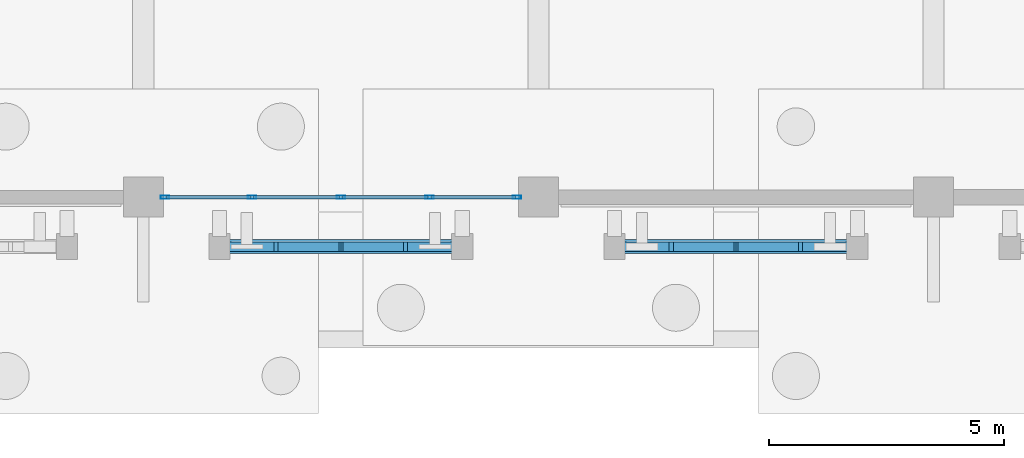
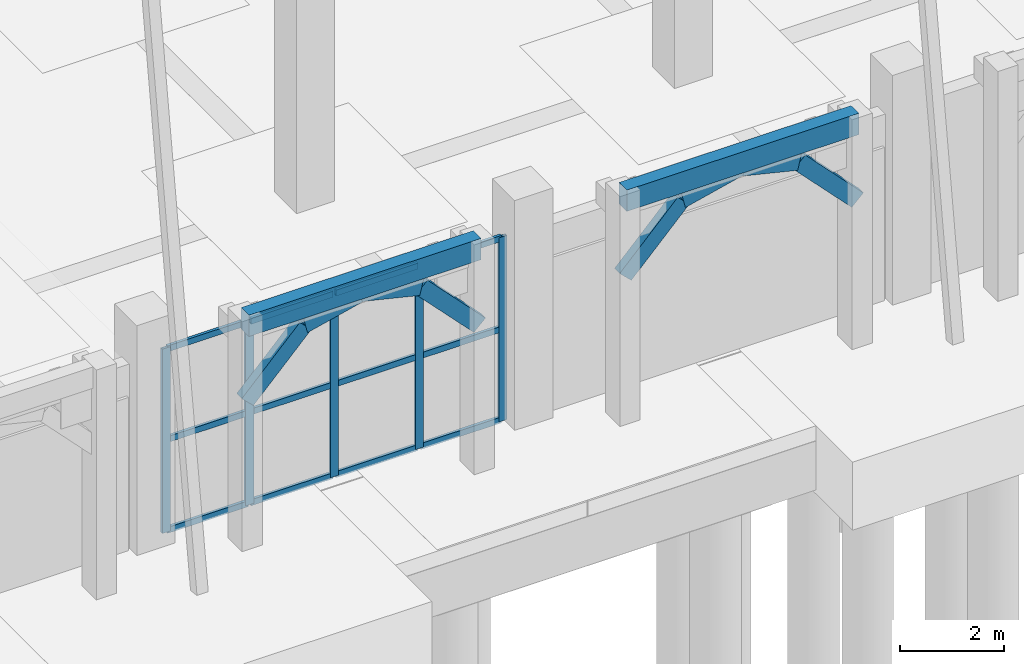
# One storey, part 17 of 98: 25 members, 2 beams, 1 element without a shape of its own.
"""IFC4 building model written with IfcOpenShell, lengths in metres."""

from ifc_helpers import new_model, si_unit, direction, frame, origin, origin_2d, place, context, subcontext, project, spatial, rectangle, hollow_rectangle, extrude, material, layer, layer_set, material_profile, profile_set, type_object, element, aggregate, save


model = new_model("IFC4")

# Units and contexts
model_context = context("Model", 3, precision=1e-05, world=origin(), true_north=direction((0.0, 1.0)))
body_context = subcontext(model_context, "Body", "Model", "MODEL_VIEW")
ifc_project = project(units=[si_unit("LENGTHUNIT", "METRE"), si_unit("AREAUNIT", "SQUARE_METRE"), si_unit("VOLUMEUNIT", "CUBIC_METRE"), si_unit("PLANEANGLEUNIT", "RADIAN"), si_unit("MASSUNIT", "GRAM", prefix="KILO")], contexts=[model_context])

# Site, building, storey
site_placement = place(None, origin())
site = spatial("IfcSite", under=ifc_project, at=site_placement, CompositionType="ELEMENT")
building_placement = place(site_placement, origin())
building = spatial("IfcBuilding", under=site, at=building_placement, Name="Xazarin Passage Department Store", CompositionType="ELEMENT")
storey_placement = place(building_placement, origin())
storey = spatial("IfcBuildingStorey", under=building, at=storey_placement, Name="L00", CompositionType="ELEMENT", Elevation=0.0)

# Curtain wall, members
ifc_material_1 = material(Name="Bronze anodised aluminium", Category="aluminium")
ifc_layer = layer(ifc_material_1, 0.18994140625)
ifc_layer_set = layer_set([ifc_layer], Name="Bronze anodised aluminium")
curtain_wall_type = type_object("IfcCurtainWallType", Name="ARC-CW-FDH1", PredefinedType="NOTDEFINED", material=ifc_layer_set)
curtain_wall_placement = place(storey_placement, origin())
curtain_wall = element("IfcCurtainWall", 1, at=curtain_wall_placement, inside=storey, type_object=curtain_wall_type, Name="L00 V3 Curtain Wall 119", PredefinedType="NOTDEFINED")
ifc_material_profile_1 = material_profile(ifc_material_1, hollow_rectangle(XDim=0.06494140625, YDim=0.179931640625, WallThickness=0.00390625, at=origin_2d()), Name="ALU 65x180")
ifc_profile_set_1 = profile_set([ifc_material_profile_1], Name="Bronze anodised aluminium")
member_type_1 = type_object("IfcMemberType", Name="ARC-CWM-65x180", PredefinedType="MULLION", material=ifc_profile_set_1)
member_1_placement = place(storey_placement, frame((42.45751953125, 0.0, 0.0), z_axis=(0.0, 0.0, 1.0), x_axis=(0.0, 1.0, 0.0)))
member_1 = element("IfcMember", 2, at=member_1_placement, type_object=member_type_1, Name="CW5 mullion 1", PredefinedType="MULLION", context=body_context, shape_type="SweptSolid", body=[
    extrude(hollow_rectangle(XDim=0.06494140625, YDim=0.179931640625, WallThickness=0.00390625, at=origin_2d()), origin(), (0.0, 0.0, 1.0), 4.330078125),
])
member_2_placement = place(storey_placement, frame((44.3125, 0.0, 0.0), z_axis=(0.0, 0.0, 1.0), x_axis=(0.0, 1.0, 0.0)))
member_2 = element("IfcMember", 3, at=member_2_placement, type_object=member_type_1, Name="CW5 mullion 2", PredefinedType="MULLION", context=body_context, shape_type="SweptSolid", body=[
    extrude(hollow_rectangle(XDim=0.06494140625, YDim=0.179931640625, WallThickness=0.00390625, at=origin_2d()), origin(), (0.0, 0.0, 1.0), 4.330078125),
])
member_3_placement = place(storey_placement, frame((46.199951171875, 0.0, 0.0), z_axis=(0.0, 0.0, 1.0), x_axis=(0.0, 1.0, 0.0)))
member_3 = element("IfcMember", 4, at=member_3_placement, type_object=member_type_1, Name="CW5 mullion 3", PredefinedType="MULLION", context=body_context, shape_type="SweptSolid", body=[
    extrude(hollow_rectangle(XDim=0.06494140625, YDim=0.179931640625, WallThickness=0.00390625, at=origin_2d()), origin(), (0.0, 0.0, 1.0), 4.330078125),
])
member_4_placement = place(storey_placement, frame((48.08740234375, 0.0, 0.0), z_axis=(0.0, 0.0, 1.0), x_axis=(0.0, 1.0, 0.0)))
member_4 = element("IfcMember", 5, at=member_4_placement, type_object=member_type_1, Name="CW5 mullion 4", PredefinedType="MULLION", context=body_context, shape_type="SweptSolid", body=[
    extrude(hollow_rectangle(XDim=0.06494140625, YDim=0.179931640625, WallThickness=0.00390625, at=origin_2d()), origin(), (0.0, 0.0, 1.0), 4.330078125),
])
member_5_placement = place(storey_placement, frame((49.9423828125, 0.0, 0.0), z_axis=(0.0, 0.0, 1.0), x_axis=(0.0, 1.0, 0.0)))
member_5 = element("IfcMember", 6, at=member_5_placement, type_object=member_type_1, Name="CW5 mullion 5", PredefinedType="MULLION", context=body_context, shape_type="SweptSolid", body=[
    extrude(hollow_rectangle(XDim=0.06494140625, YDim=0.179931640625, WallThickness=0.00390625, at=origin_2d()), origin(), (0.0, 0.0, 1.0), 4.330078125),
])
ifc_material_profile_2 = material_profile(ifc_material_1, hollow_rectangle(XDim=0.06494140625, YDim=0.139892578125, WallThickness=0.00390625, at=origin_2d()), Name="ALU 65x140")
ifc_profile_set_2 = profile_set([ifc_material_profile_2], Name="Bronze anodised aluminium")
member_type_2 = type_object("IfcMemberType", Name="ARC-CWT-65x140", PredefinedType="USERDEFINED", material=ifc_profile_set_2)
member_6_placement = place(storey_placement, frame((42.489990234375, 0.0, 0.032470703125), z_axis=(1.0, 0.0, 0.0), x_axis=(0.0, 1.0, 0.0)))
member_6 = element("IfcMember", 7, at=member_6_placement, type_object=member_type_2, Name="CW5 transom 1.1", ObjectType="TRANSOM", PredefinedType="USERDEFINED", context=body_context, shape_type="SweptSolid", body=[
    extrude(hollow_rectangle(XDim=0.06494140625, YDim=0.139892578125, WallThickness=0.00390625, at=origin_2d()), origin(), (0.0, 0.0, 1.0), 1.7900390625),
])
member_7_placement = place(storey_placement, frame((42.489990234375, 0.0, 2.1650390625), z_axis=(1.0, 0.0, 0.0), x_axis=(0.0, 1.0, 0.0)))
member_7 = element("IfcMember", 8, at=member_7_placement, type_object=member_type_2, Name="CW5 transom 1.2", ObjectType="TRANSOM", PredefinedType="USERDEFINED", context=body_context, shape_type="SweptSolid", body=[
    extrude(hollow_rectangle(XDim=0.06494140625, YDim=0.139892578125, WallThickness=0.00390625, at=origin_2d()), origin(), (0.0, 0.0, 1.0), 1.7900390625),
])
member_8_placement = place(storey_placement, frame((42.489990234375, 0.0, 4.297607421875), z_axis=(1.0, 0.0, 0.0), x_axis=(0.0, 1.0, 0.0)))
member_8 = element("IfcMember", 9, at=member_8_placement, type_object=member_type_2, Name="CW5 transom 1.3", ObjectType="TRANSOM", PredefinedType="USERDEFINED", context=body_context, shape_type="SweptSolid", body=[
    extrude(hollow_rectangle(XDim=0.06494140625, YDim=0.139892578125, WallThickness=0.00390625, at=origin_2d()), origin(), (0.0, 0.0, 1.0), 1.7900390625),
])
member_9_placement = place(storey_placement, frame((44.344970703125, 0.0, 0.032470703125), z_axis=(1.0, 0.0, 0.0), x_axis=(0.0, 1.0, 0.0)))
member_9 = element("IfcMember", 10, at=member_9_placement, type_object=member_type_2, Name="CW5 transom 2.1", ObjectType="TRANSOM", PredefinedType="USERDEFINED", context=body_context, shape_type="SweptSolid", body=[
    extrude(hollow_rectangle(XDim=0.06494140625, YDim=0.139892578125, WallThickness=0.00390625, at=origin_2d()), origin(), (0.0, 0.0, 1.0), 1.822509765625),
])
member_10_placement = place(storey_placement, frame((44.344970703125, 0.0, 2.1650390625), z_axis=(1.0, 0.0, 0.0), x_axis=(0.0, 1.0, 0.0)))
member_10 = element("IfcMember", 11, at=member_10_placement, type_object=member_type_2, Name="CW5 transom 2.2", ObjectType="TRANSOM", PredefinedType="USERDEFINED", context=body_context, shape_type="SweptSolid", body=[
    extrude(hollow_rectangle(XDim=0.06494140625, YDim=0.139892578125, WallThickness=0.00390625, at=origin_2d()), origin(), (0.0, 0.0, 1.0), 1.822509765625),
])
member_11_placement = place(storey_placement, frame((44.344970703125, 0.0, 4.297607421875), z_axis=(1.0, 0.0, 0.0), x_axis=(0.0, 1.0, 0.0)))
member_11 = element("IfcMember", 12, at=member_11_placement, type_object=member_type_2, Name="CW5 transom 2.3", ObjectType="TRANSOM", PredefinedType="USERDEFINED", context=body_context, shape_type="SweptSolid", body=[
    extrude(hollow_rectangle(XDim=0.06494140625, YDim=0.139892578125, WallThickness=0.00390625, at=origin_2d()), origin(), (0.0, 0.0, 1.0), 1.822509765625),
])
member_12_placement = place(storey_placement, frame((46.232421875, 0.0, 0.032470703125), z_axis=(1.0, 0.0, 0.0), x_axis=(0.0, 1.0, 0.0)))
member_12 = element("IfcMember", 13, at=member_12_placement, type_object=member_type_2, Name="CW5 transom 3.1", ObjectType="TRANSOM", PredefinedType="USERDEFINED", context=body_context, shape_type="SweptSolid", body=[
    extrude(hollow_rectangle(XDim=0.06494140625, YDim=0.139892578125, WallThickness=0.00390625, at=origin_2d()), origin(), (0.0, 0.0, 1.0), 1.822509765625),
])
member_13_placement = place(storey_placement, frame((46.232421875, 0.0, 2.1650390625), z_axis=(1.0, 0.0, 0.0), x_axis=(0.0, 1.0, 0.0)))
member_13 = element("IfcMember", 14, at=member_13_placement, type_object=member_type_2, Name="CW5 transom 3.2", ObjectType="TRANSOM", PredefinedType="USERDEFINED", context=body_context, shape_type="SweptSolid", body=[
    extrude(hollow_rectangle(XDim=0.06494140625, YDim=0.139892578125, WallThickness=0.00390625, at=origin_2d()), origin(), (0.0, 0.0, 1.0), 1.822509765625),
])
member_14_placement = place(storey_placement, frame((46.232421875, 0.0, 4.297607421875), z_axis=(1.0, 0.0, 0.0), x_axis=(0.0, 1.0, 0.0)))
member_14 = element("IfcMember", 15, at=member_14_placement, type_object=member_type_2, Name="CW5 transom 3.3", ObjectType="TRANSOM", PredefinedType="USERDEFINED", context=body_context, shape_type="SweptSolid", body=[
    extrude(hollow_rectangle(XDim=0.06494140625, YDim=0.139892578125, WallThickness=0.00390625, at=origin_2d()), origin(), (0.0, 0.0, 1.0), 1.822509765625),
])
member_15_placement = place(storey_placement, frame((48.1201171875, 0.0, 0.032470703125), z_axis=(1.0, 0.0, 0.0), x_axis=(0.0, 1.0, 0.0)))
member_15 = element("IfcMember", 16, at=member_15_placement, type_object=member_type_2, Name="CW5 transom 4.1", ObjectType="TRANSOM", PredefinedType="USERDEFINED", context=body_context, shape_type="SweptSolid", body=[
    extrude(hollow_rectangle(XDim=0.06494140625, YDim=0.139892578125, WallThickness=0.00390625, at=origin_2d()), origin(), (0.0, 0.0, 1.0), 1.789794921875),
])
member_16_placement = place(storey_placement, frame((48.1201171875, 0.0, 2.1650390625), z_axis=(1.0, 0.0, 0.0), x_axis=(0.0, 1.0, 0.0)))
member_16 = element("IfcMember", 17, at=member_16_placement, type_object=member_type_2, Name="CW5 transom 4.2", ObjectType="TRANSOM", PredefinedType="USERDEFINED", context=body_context, shape_type="SweptSolid", body=[
    extrude(hollow_rectangle(XDim=0.06494140625, YDim=0.139892578125, WallThickness=0.00390625, at=origin_2d()), origin(), (0.0, 0.0, 1.0), 1.789794921875),
])
member_17_placement = place(storey_placement, frame((48.1201171875, 0.0, 4.297607421875), z_axis=(1.0, 0.0, 0.0), x_axis=(0.0, 1.0, 0.0)))
member_17 = element("IfcMember", 18, at=member_17_placement, type_object=member_type_2, Name="CW5 transom 4.3", ObjectType="TRANSOM", PredefinedType="USERDEFINED", context=body_context, shape_type="SweptSolid", body=[
    extrude(hollow_rectangle(XDim=0.06494140625, YDim=0.139892578125, WallThickness=0.00390625, at=origin_2d()), origin(), (0.0, 0.0, 1.0), 1.789794921875),
])
aggregate(curtain_wall, [member_1, member_2, member_3, member_4, member_5, member_6, member_7, member_8, member_9, member_10, member_11, member_12, member_13, member_14, member_15, member_16, member_17])

# Beams
ifc_material_2 = material(Name="Concrete C35/45", Category="concrete")
ifc_material_profile_3 = material_profile(ifc_material_2, rectangle(XDim=0.300048828125, YDim=0.5, at=origin_2d()), Name="RC 300x500")
ifc_profile_set_3 = profile_set([ifc_material_profile_3], Name="Concrete C35/45")
beam_type = type_object("IfcBeamType", Name="STR-BM-LN300x500", PredefinedType="LINTEL", material=ifc_profile_set_3)
for number, where, z_axis, x_axis, name in (
    (19, (43.6201171875, -1.050048828125, 5.14990234375), (1.0, 0.0, 0.0), (0.0, 1.0, 0.0), "L00 V3 Colonnade Spandrel Beam 031"),
    (20, (52.02001953125, -1.050048828125, 5.14990234375), (1.0, 0.0, 0.0), (0.0, 1.0, 0.0), "L00 V3 Colonnade Spandrel Beam 032"),
):
    element("IfcBeam", number, at=place(storey_placement, frame(where, z_axis=z_axis, x_axis=x_axis)), inside=storey, type_object=beam_type, Name=name, PredefinedType="LINTEL", context=body_context, shape_type="SweptSolid", body=[
        extrude(rectangle(XDim=0.300048828125, YDim=0.5, at=origin_2d()), origin(), (0.0, 0.0, 1.0), 5.159912109375),
    ])

# Members
ifc_material_3 = material(Name="Concrete C40/50", Category="concrete")
ifc_material_profile_4 = material_profile(ifc_material_3, rectangle(XDim=0.199951171875, YDim=0.360107421875, at=origin_2d()), Name="RC 200x360")
ifc_profile_set_4 = profile_set([ifc_material_profile_4], Name="Concrete C40/50")
member_type_3 = type_object("IfcMemberType", Name="STR-MEM-ARC360", PredefinedType="CHORD", material=ifc_profile_set_4)
member_18_placement = place(storey_placement, frame((43.6201171875, -1.050048828125, 3.330078125), z_axis=(0.693391944082, 0.0, 0.720560623322), x_axis=(0.0, 1.0, 0.0)))
element("IfcMember", 21, at=member_18_placement, inside=storey, type_object=member_type_3, Name="L00 V3 Pierced Lattice Curved Arch 031.1", PredefinedType="CHORD", context=body_context, shape_type="SweptSolid", body=[
    extrude(rectangle(XDim=0.199951171875, YDim=0.360107421875, at=origin_2d()), origin(), (0.0, 0.0, 1.0), 1.860107421875),
])
for number, where, z_axis, x_axis, name in (
    (22, (44.909912109375, -1.050048828125, 4.67041015625), (0.972393983317, 0.0, 0.233345111818), (0.0, 1.0, 0.0), "L00 V3 Pierced Lattice Curved Arch 031.2"),
    (23, (46.199951171875, -1.050048828125, 4.97998046875), (0.972393983317, 0.0, -0.233345111818), (0.0, 1.0, 0.0), "L00 V3 Pierced Lattice Curved Arch 031.3"),
):
    element("IfcMember", number, at=place(storey_placement, frame(where, z_axis=z_axis, x_axis=x_axis)), inside=storey, type_object=member_type_3, Name=name, PredefinedType="CHORD", context=body_context, shape_type="SweptSolid", body=[
        extrude(rectangle(XDim=0.199951171875, YDim=0.360107421875, at=origin_2d()), origin(), (0.0, 0.0, 1.0), 1.32666015625),
    ])
for number, where, z_axis, x_axis, name in (
    (24, (47.489990234375, -1.050048828125, 4.67041015625), (0.693460080602, 0.0, -0.720495049679), (0.0, 1.0, 0.0), "L00 V3 Pierced Lattice Curved Arch 031.4"),
    (25, (52.02001953125, -1.050048828125, 3.330078125), (0.693460080602, 0.0, 0.720495049679), (0.0, 1.0, 0.0), "L00 V3 Pierced Lattice Curved Arch 032.1"),
):
    element("IfcMember", number, at=place(storey_placement, frame(where, z_axis=z_axis, x_axis=x_axis)), inside=storey, type_object=member_type_3, Name=name, PredefinedType="CHORD", context=body_context, shape_type="SweptSolid", body=[
        extrude(rectangle(XDim=0.199951171875, YDim=0.360107421875, at=origin_2d()), origin(), (0.0, 0.0, 1.0), 1.8603515625),
    ])
member_19_placement = place(storey_placement, frame((53.31005859375, -1.050048828125, 4.67041015625), z_axis=(0.972393983317, 0.0, 0.233345111818), x_axis=(0.0, 1.0, 0.0)))
element("IfcMember", 26, at=member_19_placement, inside=storey, type_object=member_type_3, Name="L00 V3 Pierced Lattice Curved Arch 032.2", PredefinedType="CHORD", context=body_context, shape_type="SweptSolid", body=[
    extrude(rectangle(XDim=0.199951171875, YDim=0.360107421875, at=origin_2d()), origin(), (0.0, 0.0, 1.0), 1.32666015625),
])
member_20_placement = place(storey_placement, frame((54.60009765625, -1.050048828125, 4.97998046875), z_axis=(0.972383960415, 0.0, -0.233386875224), x_axis=(0.0, 1.0, 0.0)))
element("IfcMember", 27, at=member_20_placement, inside=storey, type_object=member_type_3, Name="L00 V3 Pierced Lattice Curved Arch 032.3", PredefinedType="CHORD", context=body_context, shape_type="SweptSolid", body=[
    extrude(rectangle(XDim=0.199951171875, YDim=0.360107421875, at=origin_2d()), origin(), (0.0, 0.0, 1.0), 1.326416015625),
])
member_21_placement = place(storey_placement, frame((55.889892578125, -1.050048828125, 4.67041015625), z_axis=(0.693460080602, 0.0, -0.720495049679), x_axis=(0.0, 1.0, 0.0)))
element("IfcMember", 28, at=member_21_placement, inside=storey, type_object=member_type_3, Name="L00 V3 Pierced Lattice Curved Arch 032.4", PredefinedType="CHORD", context=body_context, shape_type="SweptSolid", body=[
    extrude(rectangle(XDim=0.199951171875, YDim=0.360107421875, at=origin_2d()), origin(), (0.0, 0.0, 1.0), 1.8603515625),
])

save(model, "model.ifc")
